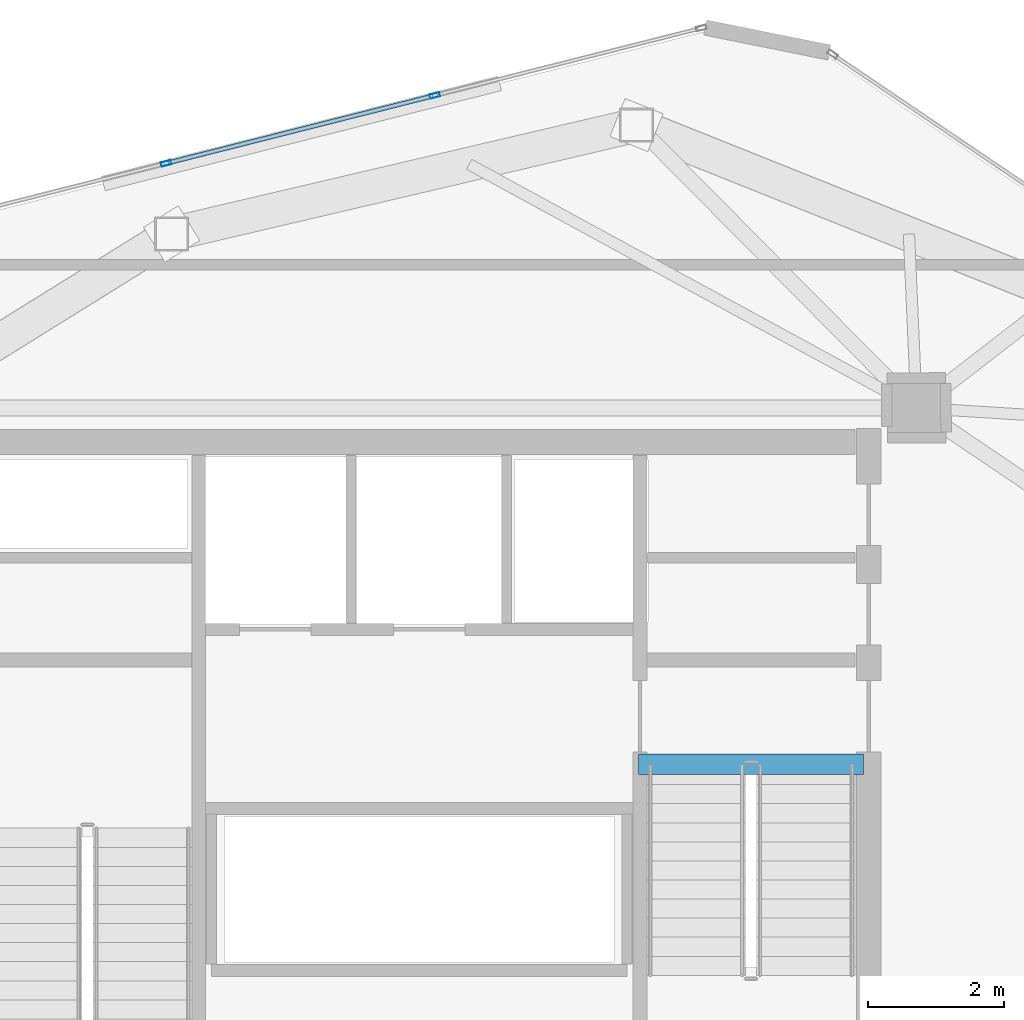
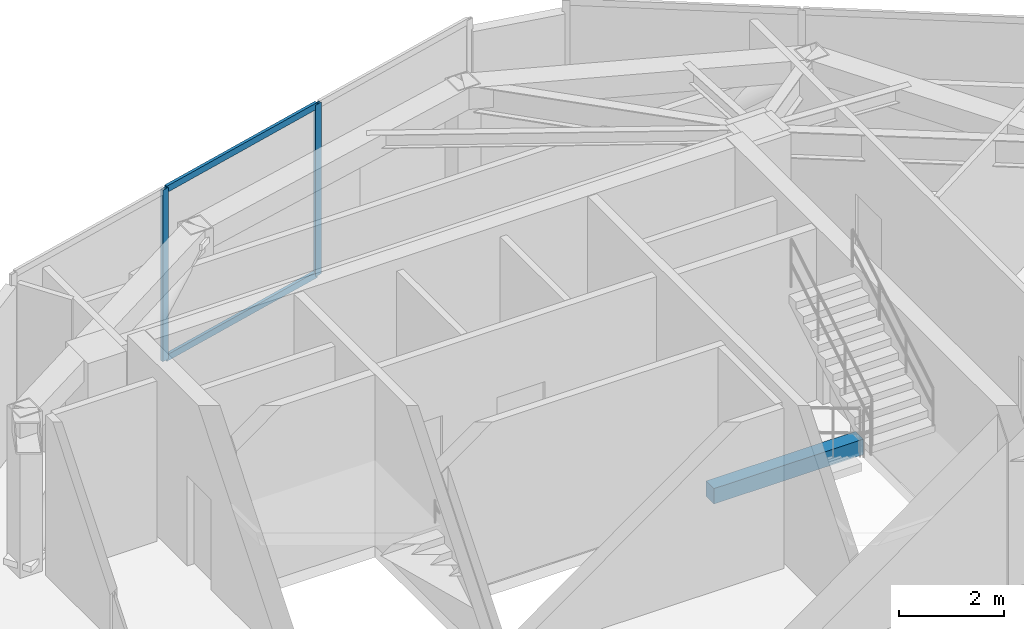
# One storey, part 12 of 21: 4 members, 1 beam, 1 element without a shape of its own.
"""IFC4 building model written with IfcOpenShell, lengths in metres."""

from ifc_helpers import new_model, si_unit, direction, frame, origin, origin_2d, place, context, subcontext, project, spatial, rectangle, hollow_rectangle, extrude, source, transform, mapped, material, layer, layer_set, material_profile, profile_set, type_object, type_shapes, element, aggregate, save


model = new_model("IFC4")

# Units and contexts
model_context = context("Model", 3, precision=1e-05, world=origin(), true_north=direction((0.0, 1.0)))
body_context = subcontext(model_context, "Body", "Model", "MODEL_VIEW")
ifc_project = project(units=[si_unit("LENGTHUNIT", "METRE"), si_unit("AREAUNIT", "SQUARE_METRE"), si_unit("VOLUMEUNIT", "CUBIC_METRE"), si_unit("PLANEANGLEUNIT", "RADIAN"), si_unit("MASSUNIT", "GRAM", prefix="KILO")], contexts=[model_context])

# Site, building, storey
site_placement = place(None, origin())
site = spatial("IfcSite", under=ifc_project, at=site_placement, CompositionType="ELEMENT")
building_placement = place(site_placement, origin())
building = spatial("IfcBuilding", under=site, at=building_placement, Name="Talar Marvaseh", CompositionType="ELEMENT")
storey_placement = place(building_placement, frame((0.0, 0.0, 300.0)))
storey = spatial("IfcBuildingStorey", under=building, at=storey_placement, Name="L80", CompositionType="ELEMENT", Elevation=300.0)

# Beam
ifc_material_1 = material(Name="Concrete C40/50", Category="concrete")
ifc_material_profile_1 = material_profile(ifc_material_1, rectangle(XDim=0.300048828125, YDim=0.360107421875, at=origin_2d()), Name="RC300x360")
ifc_profile_set_1 = profile_set([ifc_material_profile_1], Name="Concrete C40/50")
beam_type = type_object("IfcBeamType", Name="Concrete Stair Landing Trimmer Beam RC300x360", PredefinedType="SPANDREL", material=ifc_profile_set_1)
beam_placement = place(storey_placement, frame((29.219970703125, 31.669921875, -0.179931640625), z_axis=(1.0, 0.0, 0.0), x_axis=(0.0, 1.0, 0.0)))
element("IfcBeam", 1, at=beam_placement, inside=storey, type_object=beam_type, Name="L80 ST-2 Stair Nosing Trimmer Beam", PredefinedType="SPANDREL", context=body_context, shape_type="SweptSolid", body=[
    extrude(rectangle(XDim=0.300048828125, YDim=0.360107421875, at=origin_2d()), origin(), (0.0, 0.0, 1.0), 3.300048828125),
])

# Curtain wall, members
ifc_material_2 = material(Name="Architectural Aluminium", Category="aluminium")
ifc_layer = layer(ifc_material_2, 0.2099609375)
ifc_layer_set = layer_set([ifc_layer], Name="Architectural Aluminium")
curtain_wall_type = type_object("IfcCurtainWallType", Name="Crown Plant Acoustic Spandrel Curtain Wall", PredefinedType="NOTDEFINED", material=ifc_layer_set)
curtain_wall_placement = place(storey_placement, origin())
curtain_wall = element("IfcCurtainWall", 2, at=curtain_wall_placement, inside=storey, type_object=curtain_wall_type, Name="L80 Crown Plant Acoustic Spandrel Curtain Wall", PredefinedType="NOTDEFINED")
ifc_material_profile_2 = material_profile(ifc_material_2, hollow_rectangle(XDim=0.06494140625, YDim=0.14990234375, WallThickness=0.00390625, at=origin_2d()), Name="RHS150x65x4")
ifc_profile_set_2 = profile_set([ifc_material_profile_2], Name="Architectural Aluminium")
member_type_1 = type_object("IfcMemberType", Name="Unitised Curtain Wall Slim Transom RHS150x65x4", PredefinedType="USERDEFINED", material=ifc_profile_set_2)
shared_shape_1 = source(origin(), body_context, "Body", "SweptSolid", [
    extrude(hollow_rectangle(XDim=0.06494140625, YDim=0.14990234375, WallThickness=0.00390625, at=origin_2d()), origin(), (0.0, 0.0, 1.0), 4.00390625),
])
type_shapes(member_type_1, [shared_shape_1])
member_1_placement = place(storey_placement, frame((22.314208984375, 40.498046875, 0.032470703125), z_axis=(0.969522425339, 0.245002585221, 0.0), x_axis=(-0.245002585221, 0.969522425339, 0.0)))
member_1 = element("IfcMember", 3, at=member_1_placement, type_object=member_type_1, Name="CW-CRN transom 2.1", ObjectType="TRANSOM", PredefinedType="USERDEFINED", context=body_context, shape_type="MappedRepresentation", body=[
    mapped(shared_shape_1, transform((0.0, 0.0, 0.0), x_axis=(1.0, 0.0, 0.0), y_axis=(0.0, 1.0, 0.0), z_axis=(0.0, 0.0, 1.0), scale=1.0)),
])
member_2_placement = place(storey_placement, frame((22.314208984375, 40.498046875, 3.967529296875), z_axis=(0.969522425339, 0.245002585221, 0.0), x_axis=(-0.245002585221, 0.969522425339, 0.0)))
member_2 = element("IfcMember", 4, at=member_2_placement, type_object=member_type_1, Name="CW-CRN transom 2.2", ObjectType="TRANSOM", PredefinedType="USERDEFINED", context=body_context, shape_type="MappedRepresentation", body=[
    mapped(shared_shape_1, transform((0.0, 0.0, 0.0), x_axis=(1.0, 0.0, 0.0), y_axis=(0.0, 1.0, 0.0), z_axis=(0.0, 0.0, 1.0), scale=1.0)),
])
ifc_material_profile_3 = material_profile(ifc_material_2, hollow_rectangle(XDim=0.06494140625, YDim=0.14990234375, WallThickness=0.00390625, at=origin_2d()), Name="RHS150x65x4")
ifc_profile_set_3 = profile_set([ifc_material_profile_3], Name="Architectural Aluminium")
member_type_2 = type_object("IfcMemberType", Name="Unitised Curtain Wall Slim Mullion RHS150x65x4", PredefinedType="MULLION", material=ifc_profile_set_3)
shared_shape_2 = source(origin(), body_context, "Body", "SweptSolid", [
    extrude(hollow_rectangle(XDim=0.06494140625, YDim=0.14990234375, WallThickness=0.00390625, at=origin_2d()), origin(), (0.0, 0.0, 1.0), 4.0),
])
type_shapes(member_type_2, [shared_shape_2])
member_3_placement = place(storey_placement, frame((22.28271484375, 40.489990234375, 0.0), z_axis=(0.0, 0.0, 1.0), x_axis=(-0.245002284933, 0.969522501223, 0.0)))
member_3 = element("IfcMember", 5, at=member_3_placement, type_object=member_type_2, Name="CW-CRN mullion 2", PredefinedType="MULLION", context=body_context, shape_type="MappedRepresentation", body=[
    mapped(shared_shape_2, transform((0.0, 0.0, 0.0), x_axis=(1.0, 0.0, 0.0), y_axis=(0.0, 1.0, 0.0), z_axis=(0.0, 0.0, 1.0), scale=1.0)),
])
member_4_placement = place(storey_placement, frame((26.2275390625, 41.48681640625, 0.0), z_axis=(0.0, 0.0, 1.0), x_axis=(-0.245002284933, 0.969522501223, 0.0)))
member_4 = element("IfcMember", 6, at=member_4_placement, type_object=member_type_2, Name="CW-CRN mullion 3", PredefinedType="MULLION", context=body_context, shape_type="MappedRepresentation", body=[
    mapped(shared_shape_2, transform((0.0, 0.0, 0.0), x_axis=(1.0, 0.0, 0.0), y_axis=(0.0, 1.0, 0.0), z_axis=(0.0, 0.0, 1.0), scale=1.0)),
])
aggregate(curtain_wall, [member_3, member_4, member_1, member_2])

save(model, "model.ifc")
